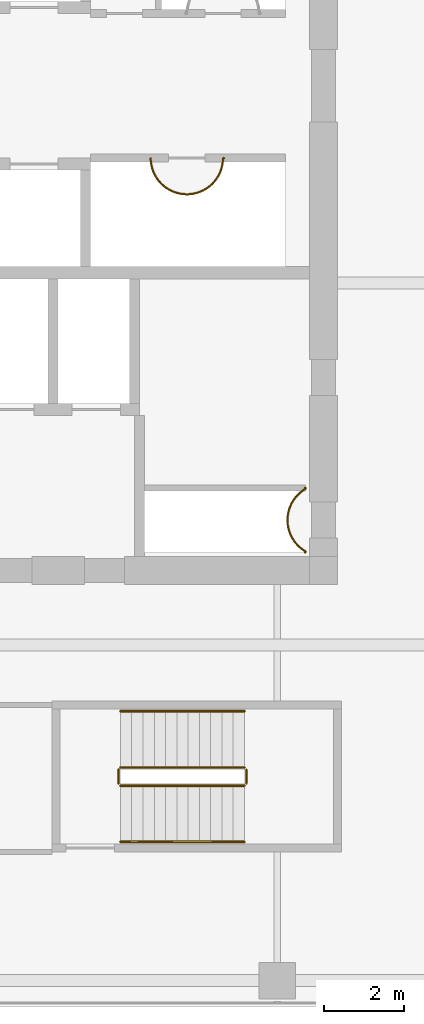
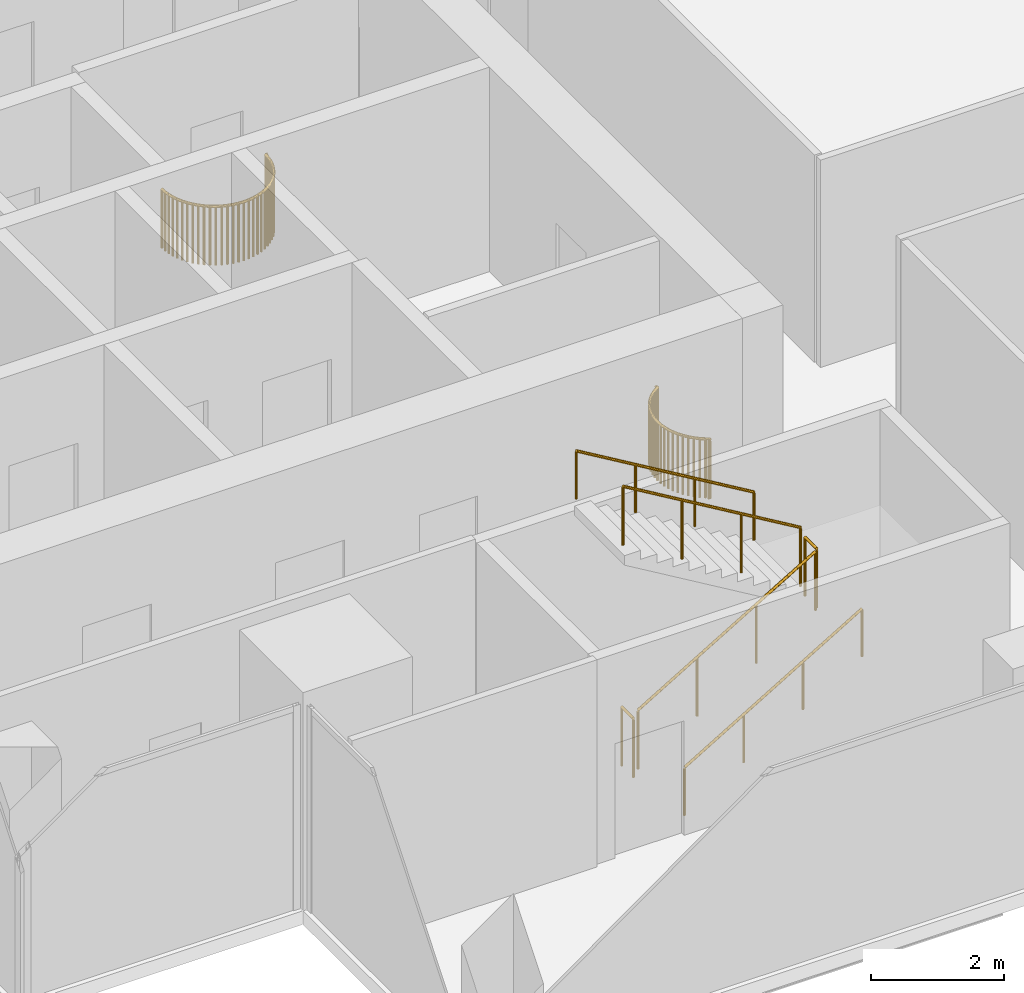
# One storey, part 33 of 35: 8 railings.
"""IFC4 building model written with IfcOpenShell, lengths in metres."""

from ifc_helpers import new_model, si_unit, direction, frame, origin, origin_2d, place, context, subcontext, project, spatial, circle, extrude, source, transform, mapped, material, type_object, element, save


model = new_model("IFC4")

# Units and contexts
model_context = context("Model", 3, precision=1e-05, world=origin(), true_north=direction((0.0, 1.0)))
body_context = subcontext(model_context, "Body", "Model", "MODEL_VIEW")
ifc_project = project(units=[si_unit("LENGTHUNIT", "METRE"), si_unit("AREAUNIT", "SQUARE_METRE"), si_unit("VOLUMEUNIT", "CUBIC_METRE"), si_unit("PLANEANGLEUNIT", "RADIAN"), si_unit("MASSUNIT", "GRAM", prefix="KILO")], contexts=[model_context])

# Site, building, storey
site_placement = place(None, origin())
site = spatial("IfcSite", under=ifc_project, at=site_placement, CompositionType="ELEMENT")
building_placement = place(site_placement, origin())
building = spatial("IfcBuilding", under=site, at=building_placement, Name="Khomas Fold Tower", CompositionType="ELEMENT")
storey_placement = place(building_placement, frame((0.0, 0.0, 270.199951171875)))
storey = spatial("IfcBuildingStorey", under=building, at=storey_placement, Name="L61", CompositionType="ELEMENT", Elevation=270.199951171875)

# Railings
ifc_material_1 = material(Name="Steel balustrade", Category="steel")
railing_type_1 = type_object("IfcRailingType", Name="Stair guard", PredefinedType="GUARDRAIL", material=ifc_material_1)
shared_shape_1 = source(origin(), body_context, "Body", "SweptSolid", [
    extrude(circle(Radius=0.02392578125, at=origin_2d()), frame((0.0, 0.0, 1.076171875), z_axis=(0.0, 1.0, 0.0), x_axis=(-1.0, 0.0, 0.0)), (0.0, 0.0, 1.0), 0.349853515625),
    extrude(circle(Radius=0.02099609375, at=origin_2d()), origin(), (0.0, 0.0, 1.0), 1.052001953125),
    extrude(circle(Radius=0.02099609375, at=origin_2d()), frame((0.0, 0.349853515625, 0.0)), (0.0, 0.0, 1.0), 1.052001953125),
])
for number, where, name in (
    (1, (18.72998046875, 10.050048828125, 2.0), "L61 ST2 stair guard 2"),
    (2, (15.550048828125, 10.050048828125, 0.0), "L61 ST2 stair guard 4"),
):
    element("IfcRailing", number, at=place(storey_placement, frame(where)), inside=storey, type_object=railing_type_1, Name=name, PredefinedType="GUARDRAIL", context=body_context, shape_type="MappedRepresentation", body=[
        mapped(shared_shape_1, transform((0.0, 0.0, 0.0))),
    ])
shared_shape_2 = source(origin(), body_context, "Body", "SweptSolid", [
    extrude(circle(Radius=0.02392578125, at=origin_2d()), frame((0.0, 0.0, 1.076171875), z_axis=(0.859290745958, 0.0, 0.51148745235), x_axis=(0.0, 1.0, 0.0)), (0.0, 0.0, 1.0), 3.584228515625),
    extrude(circle(Radius=0.02099609375, at=origin_2d()), origin(), (0.0, 0.0, 1.0), 1.052001953125),
    extrude(circle(Radius=0.02099609375, at=origin_2d()), frame((1.026611328125, 0.0, 0.611083984375)), (0.0, 0.0, 1.0), 1.052001953125),
    extrude(circle(Radius=0.02099609375, at=origin_2d()), frame((2.05322265625, 0.0, 1.22216796875)), (0.0, 0.0, 1.0), 1.052001953125),
    extrude(circle(Radius=0.02099609375, at=origin_2d()), frame((3.079833984375, 0.0, 1.833251953125)), (0.0, 0.0, 1.0), 1.052001953125),
])
railing_1_placement = place(storey_placement, frame((15.60009765625, 10.0, 0.166748046875)))
element("IfcRailing", 3, at=railing_1_placement, inside=storey, type_object=railing_type_1, Name="L61 ST2 stair guard 1", PredefinedType="GUARDRAIL", context=body_context, shape_type="MappedRepresentation", body=[
    mapped(shared_shape_2, transform((0.0, 0.0, 0.0))),
])
shared_shape_3 = source(origin(), body_context, "Body", "SweptSolid", [
    extrude(circle(Radius=0.02392578125, at=origin_2d()), frame((0.0, 0.0, 1.076171875), z_axis=(-0.859290745958, 0.0, 0.51148745235), x_axis=(0.0, -1.0, 0.0)), (0.0, 0.0, 1.0), 3.584228515625),
    extrude(circle(Radius=0.02099609375, at=origin_2d()), origin(), (0.0, 0.0, 1.0), 1.052001953125),
    extrude(circle(Radius=0.02099609375, at=origin_2d()), frame((-1.026611328125, 0.0, 0.611083984375)), (0.0, 0.0, 1.0), 1.052001953125),
    extrude(circle(Radius=0.02099609375, at=origin_2d()), frame((-2.05322265625, 0.0, 1.22216796875)), (0.0, 0.0, 1.0), 1.052001953125),
    extrude(circle(Radius=0.02099609375, at=origin_2d()), frame((-3.079833984375, 0.0, 1.833251953125)), (0.0, 0.0, 1.0), 1.052001953125),
])
railing_2_placement = place(storey_placement, frame((18.679931640625, 10.449951171875, 2.166748046875)))
element("IfcRailing", 4, at=railing_2_placement, inside=storey, type_object=railing_type_1, Name="L61 ST2 stair guard 3", PredefinedType="GUARDRAIL", context=body_context, shape_type="MappedRepresentation", body=[
    mapped(shared_shape_3, transform((0.0, 0.0, 0.0))),
])
ifc_material_2 = material(Name="Steel handrail", Category="steel")
railing_type_2 = type_object("IfcRailingType", Name="Stair handrail", PredefinedType="HANDRAIL", material=ifc_material_2)
shared_shape_4 = source(origin(), body_context, "Body", "SweptSolid", [
    extrude(circle(Radius=0.02392578125, at=origin_2d()), frame((0.0, 0.0, 0.8759765625), z_axis=(0.859290745958, 0.0, 0.51148745235), x_axis=(0.0, 1.0, 0.0)), (0.0, 0.0, 1.0), 3.584228515625),
    extrude(circle(Radius=0.02099609375, at=origin_2d()), origin(), (0.0, 0.0, 1.0), 0.851806640625),
    extrude(circle(Radius=0.02099609375, at=origin_2d()), frame((1.026611328125, 0.0, 0.611083984375)), (0.0, 0.0, 1.0), 0.851806640625),
    extrude(circle(Radius=0.02099609375, at=origin_2d()), frame((2.05322265625, 0.0, 1.22216796875)), (0.0, 0.0, 1.0), 0.851806640625),
    extrude(circle(Radius=0.02099609375, at=origin_2d()), frame((3.079833984375, 0.0, 1.833251953125)), (0.0, 0.0, 1.0), 0.851806640625),
])
railing_3_placement = place(storey_placement, frame((15.60009765625, 8.60009765625, 0.166748046875)))
element("IfcRailing", 5, at=railing_3_placement, inside=storey, type_object=railing_type_2, Name="L61 ST2 stair handrail 1", PredefinedType="HANDRAIL", context=body_context, shape_type="MappedRepresentation", body=[
    mapped(shared_shape_4, transform((0.0, 0.0, 0.0))),
])
shared_shape_5 = source(origin(), body_context, "Body", "SweptSolid", [
    extrude(circle(Radius=0.02392578125, at=origin_2d()), frame((0.0, 0.0, 0.8759765625), z_axis=(-0.859290745958, 0.0, 0.51148745235), x_axis=(0.0, -1.0, 0.0)), (0.0, 0.0, 1.0), 3.584228515625),
    extrude(circle(Radius=0.02099609375, at=origin_2d()), origin(), (0.0, 0.0, 1.0), 0.851806640625),
    extrude(circle(Radius=0.02099609375, at=origin_2d()), frame((-1.026611328125, 0.0, 0.611083984375)), (0.0, 0.0, 1.0), 0.851806640625),
    extrude(circle(Radius=0.02099609375, at=origin_2d()), frame((-2.05322265625, 0.0, 1.22216796875)), (0.0, 0.0, 1.0), 0.851806640625),
    extrude(circle(Radius=0.02099609375, at=origin_2d()), frame((-3.079833984375, 0.0, 1.833251953125)), (0.0, 0.0, 1.0), 0.851806640625),
])
railing_4_placement = place(storey_placement, frame((18.679931640625, 11.85009765625, 2.166748046875)))
element("IfcRailing", 6, at=railing_4_placement, inside=storey, type_object=railing_type_2, Name="L61 ST2 stair handrail 2", PredefinedType="HANDRAIL", context=body_context, shape_type="MappedRepresentation", body=[
    mapped(shared_shape_5, transform((0.0, 0.0, 0.0))),
])
ifc_material_3 = material(Name="Steel balustrade", Category="steel")
railing_type_3 = type_object("IfcRailingType", Name="Shaft guard", PredefinedType="GUARDRAIL", material=ifc_material_3)
shared_shape_6 = source(origin(), body_context, "Body", "SweptSolid", [
    extrude(circle(Radius=0.02490234375, at=origin_2d()), frame((0.0, 0.0, 1.0751953125), z_axis=(1.0, 0.0, 0.0), x_axis=(0.0, 1.0, 0.0)), (0.0, 0.0, 1.0), 0.02197265625),
    extrude(circle(Radius=0.02490234375, at=origin_2d()), frame((0.02197265625, 0.0, 1.0751953125), z_axis=(0.0, -1.0, 0.0), x_axis=(1.0, 0.0, 0.0)), (0.0, 0.0, 1.0), 0.021484375),
    extrude(circle(Radius=0.02490234375, at=origin_2d()), frame((0.02197265625, -0.021484375, 1.0751953125), z_axis=(-0.857492925713, -0.514495755428, 0.0), x_axis=(0.514495755428, -0.857492925713, 0.0)), (0.0, 0.0, 1.0), 0.058349609375),
    extrude(circle(Radius=0.02490234375, at=origin_2d()), frame((-0.028076171875, -0.051513671875, 1.0751953125), z_axis=(-0.801986734315, -0.597341843489, 0.0), x_axis=(0.597341843489, -0.801986734315, 0.0)), (0.0, 0.0, 1.0), 0.08837890625),
    extrude(circle(Radius=0.02490234375, at=origin_2d()), frame((-0.098876953125, -0.104248046875, 1.0751953125), z_axis=(-0.740814996175, -0.671709119666, 0.0), x_axis=(0.671709119666, -0.740814996175, 0.0)), (0.0, 0.0, 1.0), 0.08837890625),
    extrude(circle(Radius=0.02490234375, at=origin_2d()), frame((-0.164306640625, -0.16357421875, 1.0751953125), z_axis=(-0.671709119666, -0.740814996175, 0.0), x_axis=(0.740814996175, -0.671709119666, 0.0)), (0.0, 0.0, 1.0), 0.08837890625),
    extrude(circle(Radius=0.02490234375, at=origin_2d()), frame((-0.2236328125, -0.22900390625, 1.0751953125), z_axis=(-0.597341843489, -0.801986734315, 0.0), x_axis=(0.801986734315, -0.597341843489, 0.0)), (0.0, 0.0, 1.0), 0.08837890625),
    extrude(circle(Radius=0.02490234375, at=origin_2d()), frame((-0.2763671875, -0.2998046875, 1.0751953125), z_axis=(-0.514495755428, -0.857492925713, 0.0), x_axis=(0.857492925713, -0.514495755428, 0.0)), (0.0, 0.0, 1.0), 0.08837890625),
    extrude(circle(Radius=0.02490234375, at=origin_2d()), frame((-0.32177734375, -0.37548828125, 1.0751953125), z_axis=(-0.424999439989, -0.905193612444, 0.0), x_axis=(0.905193612444, -0.424999439989, 0.0)), (0.0, 0.0, 1.0), 0.08837890625),
    extrude(circle(Radius=0.02490234375, at=origin_2d()), frame((-0.359375, -0.45556640625, 1.0751953125), z_axis=(-0.337738989679, -0.941239807302, 0.0), x_axis=(0.941239807302, -0.337738989679, 0.0)), (0.0, 0.0, 1.0), 0.088134765625),
    extrude(circle(Radius=0.02490234375, at=origin_2d()), frame((-0.38916015625, -0.53857421875, 1.0751953125), z_axis=(-0.243185799972, -0.969979724887, 0.0), x_axis=(0.969979724887, -0.243185799972, 0.0)), (0.0, 0.0, 1.0), 0.08837890625),
    extrude(circle(Radius=0.02490234375, at=origin_2d()), frame((-0.41064453125, -0.624267578125, 1.0751953125), z_axis=(-0.146448518259, -0.989218293148, 0.0), x_axis=(0.989218293148, -0.146448518259, 0.0)), (0.0, 0.0, 1.0), 0.08837890625),
    extrude(circle(Radius=0.02490234375, at=origin_2d()), frame((-0.423583984375, -0.711669921875, 1.0751953125), z_axis=(-0.049799629132, -0.998759228712, 0.0), x_axis=(0.998759228712, -0.049799629132, 0.0)), (0.0, 0.0, 1.0), 0.088134765625),
    extrude(circle(Radius=0.02490234375, at=origin_2d()), frame((-0.427978515625, -0.7998046875, 1.0751953125), z_axis=(0.049662400856, -0.998766061669, 0.0), x_axis=(0.998766061669, 0.049662400856, 0.0)), (0.0, 0.0, 1.0), 0.08837890625),
    extrude(circle(Radius=0.02490234375, at=origin_2d()), frame((-0.423583984375, -0.88818359375, 1.0751953125), z_axis=(0.146448518259, -0.989218293148, 0.0), x_axis=(0.989218293148, 0.146448518259, 0.0)), (0.0, 0.0, 1.0), 0.08837890625),
    extrude(circle(Radius=0.02490234375, at=origin_2d()), frame((-0.41064453125, -0.9755859375, 1.0751953125), z_axis=(0.243185799972, -0.969979724887, 0.0), x_axis=(0.969979724887, 0.243185799972, 0.0)), (0.0, 0.0, 1.0), 0.08837890625),
    extrude(circle(Radius=0.02490234375, at=origin_2d()), frame((-0.38916015625, -1.061279296875, 1.0751953125), z_axis=(0.337738989679, -0.941239807302, 0.0), x_axis=(0.941239807302, 0.337738989679, 0.0)), (0.0, 0.0, 1.0), 0.088134765625),
    extrude(circle(Radius=0.02490234375, at=origin_2d()), frame((-0.359375, -1.144287109375, 1.0751953125), z_axis=(0.426063493689, -0.904693262573, 0.0), x_axis=(0.904693262573, 0.426063493689, 0.0)), (0.0, 0.0, 1.0), 0.088134765625),
    extrude(circle(Radius=0.02490234375, at=origin_2d()), frame((-0.32177734375, -1.22412109375, 1.0751953125), z_axis=(0.514495755428, -0.857492925713, 0.0), x_axis=(0.857492925713, 0.514495755428, 0.0)), (0.0, 0.0, 1.0), 0.08837890625),
    extrude(circle(Radius=0.02490234375, at=origin_2d()), frame((-0.2763671875, -1.2998046875, 1.0751953125), z_axis=(0.596019138224, -0.802970227885, 0.0), x_axis=(0.802970227885, 0.596019138224, 0.0)), (0.0, 0.0, 1.0), 0.08837890625),
    extrude(circle(Radius=0.02490234375, at=origin_2d()), frame((-0.2236328125, -1.370849609375, 1.0751953125), z_axis=(0.671709119666, -0.740814996175, 0.0), x_axis=(0.740814996175, 0.671709119666, 0.0)), (0.0, 0.0, 1.0), 0.08837890625),
    extrude(circle(Radius=0.02490234375, at=origin_2d()), frame((-0.164306640625, -1.436279296875, 1.0751953125), z_axis=(0.740814996175, -0.671709119666, 0.0), x_axis=(0.671709119666, 0.740814996175, 0.0)), (0.0, 0.0, 1.0), 0.08837890625),
    extrude(circle(Radius=0.02490234375, at=origin_2d()), frame((-0.098876953125, -1.49560546875, 1.0751953125), z_axis=(0.803311771616, -0.595558727233, 0.0), x_axis=(0.595558727233, 0.803311771616, 0.0)), (0.0, 0.0, 1.0), 0.088134765625),
    extrude(circle(Radius=0.02490234375, at=origin_2d()), frame((-0.028076171875, -1.548095703125, 1.0751953125), z_axis=(0.857492925713, -0.514495755428, 0.0), x_axis=(0.514495755428, 0.857492925713, 0.0)), (0.0, 0.0, 1.0), 0.058349609375),
    extrude(circle(Radius=0.02490234375, at=origin_2d()), frame((0.02197265625, -1.578125, 1.0751953125), z_axis=(0.0, -1.0, 0.0), x_axis=(1.0, 0.0, 0.0)), (0.0, 0.0, 1.0), 0.021728515625),
    extrude(circle(Radius=0.02490234375, at=origin_2d()), frame((0.02197265625, -1.599853515625, 1.0751953125), z_axis=(-1.0, 0.0, 0.0), x_axis=(0.0, -1.0, 0.0)), (0.0, 0.0, 1.0), 0.02197265625),
    extrude(circle(Radius=0.02001953125, at=origin_2d()), origin(), (0.0, 0.0, 1.0), 1.050048828125),
    extrude(circle(Radius=0.02001953125, at=origin_2d()), frame((0.02197265625, 0.0, 0.0)), (0.0, 0.0, 1.0), 1.050048828125),
    extrude(circle(Radius=0.02001953125, at=origin_2d()), frame((0.02197265625, -0.021484375, 0.0)), (0.0, 0.0, 1.0), 1.050048828125),
    extrude(circle(Radius=0.02001953125, at=origin_2d()), frame((-0.028076171875, -0.051513671875, 0.0)), (0.0, 0.0, 1.0), 1.050048828125),
    extrude(circle(Radius=0.02001953125, at=origin_2d()), frame((-0.098876953125, -0.104248046875, 0.0)), (0.0, 0.0, 1.0), 1.050048828125),
    extrude(circle(Radius=0.02001953125, at=origin_2d()), frame((-0.164306640625, -0.16357421875, 0.0)), (0.0, 0.0, 1.0), 1.050048828125),
    extrude(circle(Radius=0.02001953125, at=origin_2d()), frame((-0.2236328125, -0.22900390625, 0.0)), (0.0, 0.0, 1.0), 1.050048828125),
    extrude(circle(Radius=0.02001953125, at=origin_2d()), frame((-0.2763671875, -0.2998046875, 0.0)), (0.0, 0.0, 1.0), 1.050048828125),
    extrude(circle(Radius=0.02001953125, at=origin_2d()), frame((-0.32177734375, -0.37548828125, 0.0)), (0.0, 0.0, 1.0), 1.050048828125),
    extrude(circle(Radius=0.02001953125, at=origin_2d()), frame((-0.359375, -0.45556640625, 0.0)), (0.0, 0.0, 1.0), 1.050048828125),
    extrude(circle(Radius=0.02001953125, at=origin_2d()), frame((-0.38916015625, -0.53857421875, 0.0)), (0.0, 0.0, 1.0), 1.050048828125),
    extrude(circle(Radius=0.02001953125, at=origin_2d()), frame((-0.41064453125, -0.624267578125, 0.0)), (0.0, 0.0, 1.0), 1.050048828125),
    extrude(circle(Radius=0.02001953125, at=origin_2d()), frame((-0.423583984375, -0.711669921875, 0.0)), (0.0, 0.0, 1.0), 1.050048828125),
    extrude(circle(Radius=0.02001953125, at=origin_2d()), frame((-0.427978515625, -0.7998046875, 0.0)), (0.0, 0.0, 1.0), 1.050048828125),
    extrude(circle(Radius=0.02001953125, at=origin_2d()), frame((-0.423583984375, -0.88818359375, 0.0)), (0.0, 0.0, 1.0), 1.050048828125),
    extrude(circle(Radius=0.02001953125, at=origin_2d()), frame((-0.41064453125, -0.9755859375, 0.0)), (0.0, 0.0, 1.0), 1.050048828125),
    extrude(circle(Radius=0.02001953125, at=origin_2d()), frame((-0.38916015625, -1.061279296875, 0.0)), (0.0, 0.0, 1.0), 1.050048828125),
    extrude(circle(Radius=0.02001953125, at=origin_2d()), frame((-0.359375, -1.144287109375, 0.0)), (0.0, 0.0, 1.0), 1.050048828125),
    extrude(circle(Radius=0.02001953125, at=origin_2d()), frame((-0.32177734375, -1.22412109375, 0.0)), (0.0, 0.0, 1.0), 1.050048828125),
    extrude(circle(Radius=0.02001953125, at=origin_2d()), frame((-0.2763671875, -1.2998046875, 0.0)), (0.0, 0.0, 1.0), 1.050048828125),
    extrude(circle(Radius=0.02001953125, at=origin_2d()), frame((-0.2236328125, -1.370849609375, 0.0)), (0.0, 0.0, 1.0), 1.050048828125),
    extrude(circle(Radius=0.02001953125, at=origin_2d()), frame((-0.164306640625, -1.436279296875, 0.0)), (0.0, 0.0, 1.0), 1.050048828125),
    extrude(circle(Radius=0.02001953125, at=origin_2d()), frame((-0.098876953125, -1.49560546875, 0.0)), (0.0, 0.0, 1.0), 1.050048828125),
    extrude(circle(Radius=0.02001953125, at=origin_2d()), frame((-0.028076171875, -1.548095703125, 0.0)), (0.0, 0.0, 1.0), 1.050048828125),
    extrude(circle(Radius=0.02001953125, at=origin_2d()), frame((0.02197265625, -1.578125, 0.0)), (0.0, 0.0, 1.0), 1.050048828125),
    extrude(circle(Radius=0.02001953125, at=origin_2d()), frame((0.02197265625, -1.599853515625, 0.0)), (0.0, 0.0, 1.0), 1.050048828125),
    extrude(circle(Radius=0.02001953125, at=origin_2d()), frame((0.0, -1.599853515625, 0.0)), (0.0, 0.0, 1.0), 1.050048828125),
])
railing_5_placement = place(storey_placement, frame((20.177978515625, 17.39990234375, 0.0)))
element("IfcRailing", 7, at=railing_5_placement, inside=storey, type_object=railing_type_3, Name="Shaft guard L61 1", PredefinedType="GUARDRAIL", context=body_context, shape_type="MappedRepresentation", body=[
    mapped(shared_shape_6, transform((0.0, 0.0, 0.0))),
])
shared_shape_7 = source(origin(), body_context, "Body", "SweptSolid", [
    extrude(circle(Radius=0.02490234375, at=origin_2d()), frame((0.0, 0.0, 1.0751953125), z_axis=(0.046909628002, -0.998899137451, 0.0), x_axis=(0.998899137451, 0.046909628002, 0.0)), (0.0, 0.0, 1.0), 0.08837890625),
    extrude(circle(Radius=0.02490234375, at=origin_2d()), frame((0.004150390625, -0.08837890625, 1.0751953125), z_axis=(0.146448518259, -0.989218293148, 0.0), x_axis=(0.989218293148, 0.146448518259, 0.0)), (0.0, 0.0, 1.0), 0.08837890625),
    extrude(circle(Radius=0.02490234375, at=origin_2d()), frame((0.01708984375, -0.17578125, 1.0751953125), z_axis=(0.245783216939, -0.969324821859, 0.0), x_axis=(0.969324821859, 0.245783216939, 0.0)), (0.0, 0.0, 1.0), 0.08837890625),
    extrude(circle(Radius=0.02490234375, at=origin_2d()), frame((0.038818359375, -0.261474609375, 1.0751953125), z_axis=(0.335282981086, -0.942117467514, 0.0), x_axis=(0.942117467514, 0.335282981086, 0.0)), (0.0, 0.0, 1.0), 0.088134765625),
    extrude(circle(Radius=0.02490234375, at=origin_2d()), frame((0.068359375, -0.344482421875, 1.0751953125), z_axis=(0.428323905606, -0.903625271828, 0.0), x_axis=(0.903625271828, 0.428323905606, 0.0)), (0.0, 0.0, 1.0), 0.08837890625),
    extrude(circle(Radius=0.02490234375, at=origin_2d()), frame((0.106201171875, -0.42431640625, 1.0751953125), z_axis=(0.514495755428, -0.857492925713, 0.0), x_axis=(0.857492925713, 0.514495755428, 0.0)), (0.0, 0.0, 1.0), 0.08837890625),
    extrude(circle(Radius=0.02490234375, at=origin_2d()), frame((0.151611328125, -0.5, 1.0751953125), z_axis=(0.594235623595, -0.804291006819, 0.0), x_axis=(0.804291006819, 0.594235623595, 0.0)), (0.0, 0.0, 1.0), 0.08837890625),
    extrude(circle(Radius=0.02490234375, at=origin_2d()), frame((0.2041015625, -0.571044921875, 1.0751953125), z_axis=(0.671709119666, -0.740814996175, 0.0), x_axis=(0.740814996175, 0.671709119666, 0.0)), (0.0, 0.0, 1.0), 0.08837890625),
    extrude(circle(Radius=0.02490234375, at=origin_2d()), frame((0.263427734375, -0.636474609375, 1.0751953125), z_axis=(0.740814996175, -0.671709119666, 0.0), x_axis=(0.671709119666, 0.740814996175, 0.0)), (0.0, 0.0, 1.0), 0.08837890625),
    extrude(circle(Radius=0.02490234375, at=origin_2d()), frame((0.328857421875, -0.69580078125, 1.0751953125), z_axis=(0.804291006819, -0.594235623595, 0.0), x_axis=(0.594235623595, 0.804291006819, 0.0)), (0.0, 0.0, 1.0), 0.08837890625),
    extrude(circle(Radius=0.02490234375, at=origin_2d()), frame((0.39990234375, -0.748291015625, 1.0751953125), z_axis=(0.857492925713, -0.514495755428, 0.0), x_axis=(0.514495755428, 0.857492925713, 0.0)), (0.0, 0.0, 1.0), 0.08837890625),
    extrude(circle(Radius=0.02490234375, at=origin_2d()), frame((0.4755859375, -0.793701171875, 1.0751953125), z_axis=(0.903625271828, -0.428323905606, 0.0), x_axis=(0.428323905606, 0.903625271828, 0.0)), (0.0, 0.0, 1.0), 0.08837890625),
    extrude(circle(Radius=0.02490234375, at=origin_2d()), frame((0.555419921875, -0.83154296875, 1.0751953125), z_axis=(0.941554356589, -0.336861089454, 0.0), x_axis=(0.336861089454, 0.941554356589, 0.0)), (0.0, 0.0, 1.0), 0.08837890625),
    extrude(circle(Radius=0.02490234375, at=origin_2d()), frame((0.638671875, -0.861328125, 1.0751953125), z_axis=(0.969979724887, -0.243185799972, 0.0), x_axis=(0.243185799972, 0.969979724887, 0.0)), (0.0, 0.0, 1.0), 0.08837890625),
    extrude(circle(Radius=0.02490234375, at=origin_2d()), frame((0.724365234375, -0.8828125, 1.0751953125), z_axis=(0.989218293148, -0.146448518259, 0.0), x_axis=(0.146448518259, 0.989218293148, 0.0)), (0.0, 0.0, 1.0), 0.08837890625),
    extrude(circle(Radius=0.02490234375, at=origin_2d()), frame((0.811767578125, -0.895751953125, 1.0751953125), z_axis=(0.998759228712, -0.049799629132, 0.0), x_axis=(0.049799629132, 0.998759228712, 0.0)), (0.0, 0.0, 1.0), 0.088134765625),
    extrude(circle(Radius=0.02490234375, at=origin_2d()), frame((0.89990234375, -0.900146484375, 1.0751953125), z_axis=(0.998759228712, 0.049799629132, 0.0), x_axis=(-0.049799629132, 0.998759228712, 0.0)), (0.0, 0.0, 1.0), 0.088134765625),
    extrude(circle(Radius=0.02490234375, at=origin_2d()), frame((0.988037109375, -0.895751953125, 1.0751953125), z_axis=(0.989218293148, 0.146448518259, 0.0), x_axis=(-0.146448518259, 0.989218293148, 0.0)), (0.0, 0.0, 1.0), 0.08837890625),
    extrude(circle(Radius=0.02490234375, at=origin_2d()), frame((1.075439453125, -0.8828125, 1.0751953125), z_axis=(0.969979724887, 0.243185799972, 0.0), x_axis=(-0.243185799972, 0.969979724887, 0.0)), (0.0, 0.0, 1.0), 0.08837890625),
    extrude(circle(Radius=0.02490234375, at=origin_2d()), frame((1.1611328125, -0.861328125, 1.0751953125), z_axis=(0.941554356589, 0.336861089454, 0.0), x_axis=(-0.336861089454, 0.941554356589, 0.0)), (0.0, 0.0, 1.0), 0.08837890625),
    extrude(circle(Radius=0.02490234375, at=origin_2d()), frame((1.244384765625, -0.83154296875, 1.0751953125), z_axis=(0.903625271828, 0.428323905606, 0.0), x_axis=(-0.428323905606, 0.903625271828, 0.0)), (0.0, 0.0, 1.0), 0.08837890625),
    extrude(circle(Radius=0.02490234375, at=origin_2d()), frame((1.32421875, -0.793701171875, 1.0751953125), z_axis=(0.857492925713, 0.514495755428, 0.0), x_axis=(-0.514495755428, 0.857492925713, 0.0)), (0.0, 0.0, 1.0), 0.08837890625),
    extrude(circle(Radius=0.02490234375, at=origin_2d()), frame((1.39990234375, -0.748291015625, 1.0751953125), z_axis=(0.804291006819, 0.594235623595, 0.0), x_axis=(-0.594235623595, 0.804291006819, 0.0)), (0.0, 0.0, 1.0), 0.08837890625),
    extrude(circle(Radius=0.02490234375, at=origin_2d()), frame((1.470947265625, -0.69580078125, 1.0751953125), z_axis=(0.740814996175, 0.671709119666, 0.0), x_axis=(-0.671709119666, 0.740814996175, 0.0)), (0.0, 0.0, 1.0), 0.08837890625),
    extrude(circle(Radius=0.02490234375, at=origin_2d()), frame((1.536376953125, -0.636474609375, 1.0751953125), z_axis=(0.671709119666, 0.740814996175, 0.0), x_axis=(-0.740814996175, 0.671709119666, 0.0)), (0.0, 0.0, 1.0), 0.08837890625),
    extrude(circle(Radius=0.02490234375, at=origin_2d()), frame((1.595703125, -0.571044921875, 1.0751953125), z_axis=(0.594235623595, 0.804291006819, 0.0), x_axis=(-0.804291006819, 0.594235623595, 0.0)), (0.0, 0.0, 1.0), 0.08837890625),
    extrude(circle(Radius=0.02490234375, at=origin_2d()), frame((1.648193359375, -0.5, 1.0751953125), z_axis=(0.514495755428, 0.857492925713, 0.0), x_axis=(-0.857492925713, 0.514495755428, 0.0)), (0.0, 0.0, 1.0), 0.08837890625),
    extrude(circle(Radius=0.02490234375, at=origin_2d()), frame((1.693603515625, -0.42431640625, 1.0751953125), z_axis=(0.428323905606, 0.903625271828, 0.0), x_axis=(-0.903625271828, 0.428323905606, 0.0)), (0.0, 0.0, 1.0), 0.08837890625),
    extrude(circle(Radius=0.02490234375, at=origin_2d()), frame((1.7314453125, -0.344482421875, 1.0751953125), z_axis=(0.335282981086, 0.942117467514, 0.0), x_axis=(-0.942117467514, 0.335282981086, 0.0)), (0.0, 0.0, 1.0), 0.088134765625),
    extrude(circle(Radius=0.02490234375, at=origin_2d()), frame((1.760986328125, -0.261474609375, 1.0751953125), z_axis=(0.245783216939, 0.969324821859, 0.0), x_axis=(-0.969324821859, 0.245783216939, 0.0)), (0.0, 0.0, 1.0), 0.08837890625),
    extrude(circle(Radius=0.02490234375, at=origin_2d()), frame((1.78271484375, -0.17578125, 1.0751953125), z_axis=(0.146448518259, 0.989218293148, 0.0), x_axis=(-0.989218293148, 0.146448518259, 0.0)), (0.0, 0.0, 1.0), 0.08837890625),
    extrude(circle(Radius=0.02490234375, at=origin_2d()), frame((1.795654296875, -0.08837890625, 1.0751953125), z_axis=(0.046909628002, 0.998899137451, 0.0), x_axis=(-0.998899137451, 0.046909628002, 0.0)), (0.0, 0.0, 1.0), 0.08837890625),
    extrude(circle(Radius=0.02490234375, at=origin_2d()), frame((1.7998046875, 0.0, 1.0751953125), z_axis=(1.0, 0.0, 0.0), x_axis=(0.0, 1.0, 0.0)), (0.0, 0.0, 1.0), 0.030029296875),
    extrude(circle(Radius=0.02001953125, at=origin_2d()), origin(), (0.0, 0.0, 1.0), 1.050048828125),
    extrude(circle(Radius=0.02001953125, at=origin_2d()), frame((0.004150390625, -0.08837890625, 0.0)), (0.0, 0.0, 1.0), 1.050048828125),
    extrude(circle(Radius=0.02001953125, at=origin_2d()), frame((0.01708984375, -0.17578125, 0.0)), (0.0, 0.0, 1.0), 1.050048828125),
    extrude(circle(Radius=0.02001953125, at=origin_2d()), frame((0.038818359375, -0.261474609375, 0.0)), (0.0, 0.0, 1.0), 1.050048828125),
    extrude(circle(Radius=0.02001953125, at=origin_2d()), frame((0.068359375, -0.344482421875, 0.0)), (0.0, 0.0, 1.0), 1.050048828125),
    extrude(circle(Radius=0.02001953125, at=origin_2d()), frame((0.106201171875, -0.42431640625, 0.0)), (0.0, 0.0, 1.0), 1.050048828125),
    extrude(circle(Radius=0.02001953125, at=origin_2d()), frame((0.151611328125, -0.5, 0.0)), (0.0, 0.0, 1.0), 1.050048828125),
    extrude(circle(Radius=0.02001953125, at=origin_2d()), frame((0.2041015625, -0.571044921875, 0.0)), (0.0, 0.0, 1.0), 1.050048828125),
    extrude(circle(Radius=0.02001953125, at=origin_2d()), frame((0.263427734375, -0.636474609375, 0.0)), (0.0, 0.0, 1.0), 1.050048828125),
    extrude(circle(Radius=0.02001953125, at=origin_2d()), frame((0.328857421875, -0.69580078125, 0.0)), (0.0, 0.0, 1.0), 1.050048828125),
    extrude(circle(Radius=0.02001953125, at=origin_2d()), frame((0.39990234375, -0.748291015625, 0.0)), (0.0, 0.0, 1.0), 1.050048828125),
    extrude(circle(Radius=0.02001953125, at=origin_2d()), frame((0.4755859375, -0.793701171875, 0.0)), (0.0, 0.0, 1.0), 1.050048828125),
    extrude(circle(Radius=0.02001953125, at=origin_2d()), frame((0.555419921875, -0.83154296875, 0.0)), (0.0, 0.0, 1.0), 1.050048828125),
    extrude(circle(Radius=0.02001953125, at=origin_2d()), frame((0.638671875, -0.861328125, 0.0)), (0.0, 0.0, 1.0), 1.050048828125),
    extrude(circle(Radius=0.02001953125, at=origin_2d()), frame((0.724365234375, -0.8828125, 0.0)), (0.0, 0.0, 1.0), 1.050048828125),
    extrude(circle(Radius=0.02001953125, at=origin_2d()), frame((0.811767578125, -0.895751953125, 0.0)), (0.0, 0.0, 1.0), 1.050048828125),
    extrude(circle(Radius=0.02001953125, at=origin_2d()), frame((0.89990234375, -0.900146484375, 0.0)), (0.0, 0.0, 1.0), 1.050048828125),
    extrude(circle(Radius=0.02001953125, at=origin_2d()), frame((0.988037109375, -0.895751953125, 0.0)), (0.0, 0.0, 1.0), 1.050048828125),
    extrude(circle(Radius=0.02001953125, at=origin_2d()), frame((1.075439453125, -0.8828125, 0.0)), (0.0, 0.0, 1.0), 1.050048828125),
    extrude(circle(Radius=0.02001953125, at=origin_2d()), frame((1.1611328125, -0.861328125, 0.0)), (0.0, 0.0, 1.0), 1.050048828125),
    extrude(circle(Radius=0.02001953125, at=origin_2d()), frame((1.244384765625, -0.83154296875, 0.0)), (0.0, 0.0, 1.0), 1.050048828125),
    extrude(circle(Radius=0.02001953125, at=origin_2d()), frame((1.32421875, -0.793701171875, 0.0)), (0.0, 0.0, 1.0), 1.050048828125),
    extrude(circle(Radius=0.02001953125, at=origin_2d()), frame((1.39990234375, -0.748291015625, 0.0)), (0.0, 0.0, 1.0), 1.050048828125),
    extrude(circle(Radius=0.02001953125, at=origin_2d()), frame((1.470947265625, -0.69580078125, 0.0)), (0.0, 0.0, 1.0), 1.050048828125),
    extrude(circle(Radius=0.02001953125, at=origin_2d()), frame((1.536376953125, -0.636474609375, 0.0)), (0.0, 0.0, 1.0), 1.050048828125),
    extrude(circle(Radius=0.02001953125, at=origin_2d()), frame((1.595703125, -0.571044921875, 0.0)), (0.0, 0.0, 1.0), 1.050048828125),
    extrude(circle(Radius=0.02001953125, at=origin_2d()), frame((1.648193359375, -0.5, 0.0)), (0.0, 0.0, 1.0), 1.050048828125),
    extrude(circle(Radius=0.02001953125, at=origin_2d()), frame((1.693603515625, -0.42431640625, 0.0)), (0.0, 0.0, 1.0), 1.050048828125),
    extrude(circle(Radius=0.02001953125, at=origin_2d()), frame((1.7314453125, -0.344482421875, 0.0)), (0.0, 0.0, 1.0), 1.050048828125),
    extrude(circle(Radius=0.02001953125, at=origin_2d()), frame((1.760986328125, -0.261474609375, 0.0)), (0.0, 0.0, 1.0), 1.050048828125),
    extrude(circle(Radius=0.02001953125, at=origin_2d()), frame((1.78271484375, -0.17578125, 0.0)), (0.0, 0.0, 1.0), 1.050048828125),
    extrude(circle(Radius=0.02001953125, at=origin_2d()), frame((1.795654296875, -0.08837890625, 0.0)), (0.0, 0.0, 1.0), 1.050048828125),
    extrude(circle(Radius=0.02001953125, at=origin_2d()), frame((1.7998046875, 0.0, 0.0)), (0.0, 0.0, 1.0), 1.050048828125),
    extrude(circle(Radius=0.02001953125, at=origin_2d()), frame((1.829833984375, 0.0, 0.0)), (0.0, 0.0, 1.0), 1.050048828125),
])
railing_6_placement = place(storey_placement, frame((16.35009765625, 25.60009765625, 0.0)))
element("IfcRailing", 8, at=railing_6_placement, inside=storey, type_object=railing_type_3, Name="Shaft guard L61 2", PredefinedType="GUARDRAIL", context=body_context, shape_type="MappedRepresentation", body=[
    mapped(shared_shape_7, transform((0.0, 0.0, 0.0))),
])

save(model, "model.ifc")
